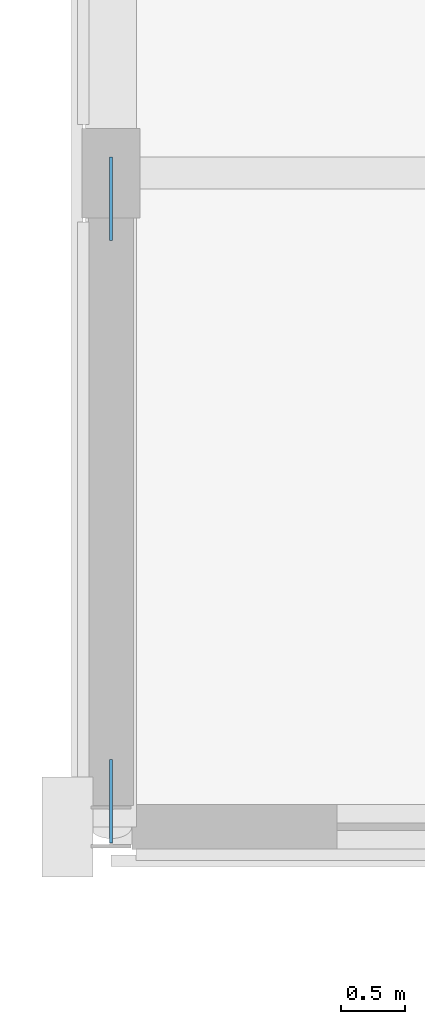
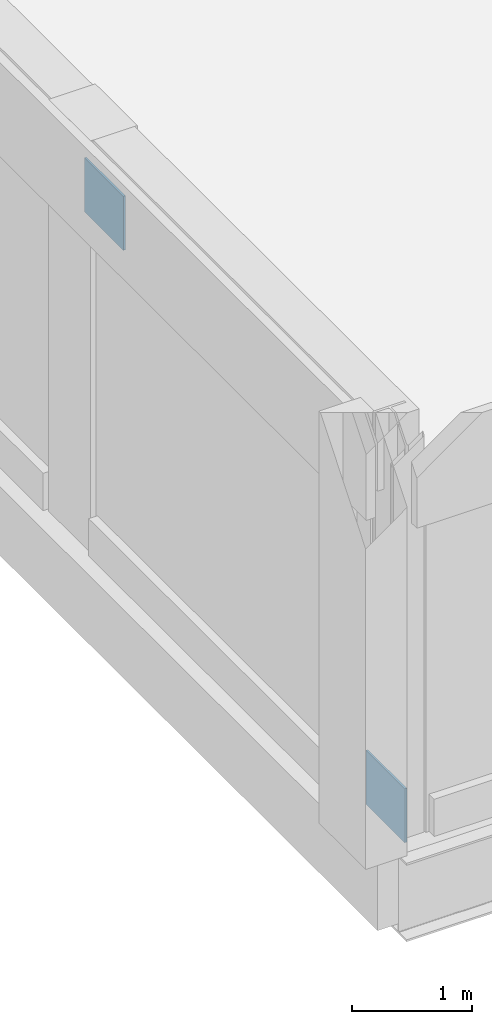
# One storey, part 148 of 185: 2 plates.
"""IFC4 building model written with IfcOpenShell, lengths in metres."""

from ifc_helpers import new_model, si_unit, direction, frame, origin, origin_2d, place, context, subcontext, project, spatial, rectangle, extrude, material, layer, layer_set, type_object, element, save


model = new_model("IFC4")

# Units and contexts
model_context = context("Model", 3, precision=1e-05, world=origin(), true_north=direction((0.0, 1.0)))
body_context = subcontext(model_context, "Body", "Model", "MODEL_VIEW")
ifc_project = project(units=[si_unit("LENGTHUNIT", "METRE"), si_unit("AREAUNIT", "SQUARE_METRE"), si_unit("VOLUMEUNIT", "CUBIC_METRE"), si_unit("PLANEANGLEUNIT", "RADIAN"), si_unit("MASSUNIT", "GRAM", prefix="KILO")], contexts=[model_context])

# Site, building, storey
site_placement = place(None, origin())
site = spatial("IfcSite", under=ifc_project, at=site_placement, CompositionType="ELEMENT")
building_placement = place(site_placement, origin())
building = spatial("IfcBuilding", under=site, at=building_placement, Name="Vondelvale Polytechnic", CompositionType="ELEMENT")
storey_placement = place(building_placement, frame((0.0, 0.0, 9.60009765625)))
storey = spatial("IfcBuildingStorey", under=building, at=storey_placement, Name="L02", CompositionType="ELEMENT", Elevation=9.60009765625)

# Plates
ifc_material = material(Name="Steel Grade 350 (fy = 340 MPa)", Category="steel")
ifc_layer = layer(ifc_material, 0.02001953125)
ifc_layer_set = layer_set([ifc_layer], Name="PLATE-GUSSET-20")
plate_type = type_object("IfcPlateType", Name="PLATE-GUSSET-20", PredefinedType="USERDEFINED", material=ifc_layer_set)
for number, where, z_axis, x_axis, name in (
    (1, (0.0, 51.199951171875, -0.0751953125), (0.0, 0.0, 1.0), (1.0, 0.0, 0.0), "L02 frame brace B knife gusset plate 1"),
    (2, (0.0, 55.89990234375, 3.11474609375), (0.0, 0.0, 1.0), (1.0, 0.0, 0.0), "L02 frame brace T knife gusset plate 1"),
):
    element("IfcPlate", number, at=place(storey_placement, frame(where, z_axis=z_axis, x_axis=x_axis)), inside=storey, type_object=plate_type, Name=name, ObjectType="GUSSET_PLATE", PredefinedType="USERDEFINED", context=body_context, shape_type="SweptSolid", body=[
        extrude(rectangle(XDim=0.02001953125, YDim=0.64990234375, at=origin_2d()), origin(), (0.0, 0.0, 1.0), 0.550048828125),
    ])

save(model, "model.ifc")
